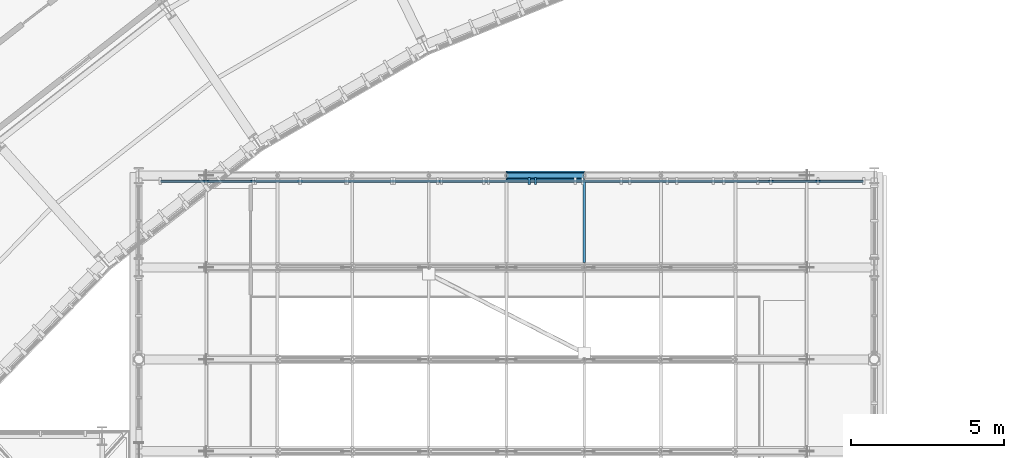
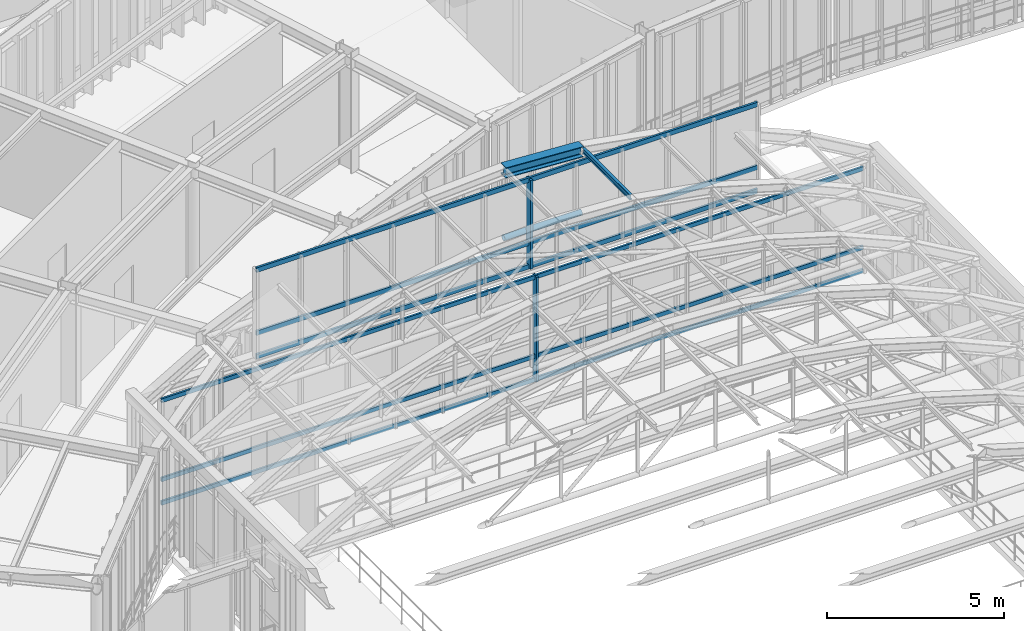
# One storey, part 73 of 148: 9 members, 2 beams, 2 elements without a shape of their own.
"""IFC4 building model written with IfcOpenShell, lengths in metres."""

from ifc_helpers import new_model, si_unit, direction, frame, origin, origin_2d, place, context, subcontext, project, spatial, rectangle, hollow_circle, i_section, extrude, material, layer, layer_set, material_profile, profile_set, type_object, element, aggregate, save


model = new_model("IFC4")

# Units and contexts
model_context = context("Model", 3, precision=1e-05, world=origin(), true_north=direction((0.0, 1.0)))
body_context = subcontext(model_context, "Body", "Model", "MODEL_VIEW")
ifc_project = project(units=[si_unit("LENGTHUNIT", "METRE"), si_unit("AREAUNIT", "SQUARE_METRE"), si_unit("VOLUMEUNIT", "CUBIC_METRE"), si_unit("PLANEANGLEUNIT", "RADIAN"), si_unit("MASSUNIT", "GRAM", prefix="KILO"), si_unit("THERMODYNAMICTEMPERATUREUNIT", "KELVIN"), si_unit("POWERUNIT", "WATT")], contexts=[model_context])

# Site, building, storey
site_placement = place(None, origin())
site = spatial("IfcSite", under=ifc_project, at=site_placement, CompositionType="ELEMENT")
building_placement = place(site_placement, origin())
building = spatial("IfcBuilding", under=site, at=building_placement, Name="Solvatero Civic Police Headquarters", CompositionType="ELEMENT")
storey_placement = place(building_placement, frame((0.0, 0.0, 5.10009765625)))
storey = spatial("IfcBuildingStorey", under=building, at=storey_placement, Name="L01", CompositionType="ELEMENT", Elevation=5.10009765625)

# Beams
ifc_material_1 = material(Name="Steel S355", Category="steel")
ifc_material_profile_1 = material_profile(ifc_material_1, i_section(OverallWidth=0.300048828125, OverallDepth=0.360107421875, WebThickness=0.012451171875, FlangeThickness=0.0224609375, FilletRadius=0.027099609375, at=origin_2d()), Name="HEB 360")
ifc_profile_set_1 = profile_set([ifc_material_profile_1], Name="Steel S355")
beam_type_1 = type_object("IfcBeamType", Name="BM-ST-HEB360", PredefinedType="BEAM", material=ifc_profile_set_1)
beam_1_placement = place(storey_placement, frame((76.800048828125, 62.5, 7.4638671875), z_axis=(0.99830210262, 0.0, -0.058248707316), x_axis=(0.0, 1.0, 0.0)))
element("IfcBeam", 1, at=beam_1_placement, inside=storey, type_object=beam_type_1, Name="VLT2 Tied-Arch Vault Top Chord F8.6", PredefinedType="BEAM", context=body_context, shape_type="SweptSolid", body=[
    extrude(i_section(OverallWidth=0.300048828125, OverallDepth=0.360107421875, WebThickness=0.012451171875, FlangeThickness=0.0224609375, FilletRadius=0.027099609375, at=origin_2d()), origin(), (0.0, 0.0, 1.0), 2.5400390625),
])
ifc_material_profile_2 = material_profile(ifc_material_1, i_section(OverallWidth=0.091064453125, OverallDepth=0.179931640625, WebThickness=0.00537109375, FlangeThickness=0.008056640625, FilletRadius=0.009033203125, at=origin_2d()), Name="IPE 180")
ifc_profile_set_2 = profile_set([ifc_material_profile_2], Name="Steel S355")
beam_type_2 = type_object("IfcBeamType", Name="BM-ST-IPE180", PredefinedType="JOIST", material=ifc_profile_set_2)
beam_2_placement = place(storey_placement, frame((79.335693359375, 59.657958984375, 7.37451171875), z_axis=(0.0, 1.0, 0.0), x_axis=(-1.0, 0.0, 0.0)))
element("IfcBeam", 2, at=beam_2_placement, inside=storey, type_object=beam_type_2, Name="VLT2 Vault Roof Purlin B7.6", PredefinedType="JOIST", context=body_context, shape_type="SweptSolid", body=[
    extrude(i_section(OverallWidth=0.091064453125, OverallDepth=0.179931640625, WebThickness=0.00537109375, FlangeThickness=0.008056640625, FilletRadius=0.009033203125, at=origin_2d()), origin(), (0.0, 0.0, 1.0), 2.68408203125),
])

# Curtain wall, member
ifc_material_2 = material(Name="Anodized Bronze Aluminium", Category="aluminium")
ifc_layer_1 = layer(ifc_material_2, 0.179931640625)
ifc_layer_set_1 = layer_set([ifc_layer_1], Name="Anodized Bronze Aluminium")
curtain_wall_type_1 = type_object("IfcCurtainWallType", Name="CW-VLT-TYMP", PredefinedType="USERDEFINED", material=ifc_layer_set_1)
curtain_wall_1_placement = place(storey_placement, origin())
curtain_wall_1 = element("IfcCurtainWall", 3, at=curtain_wall_1_placement, inside=storey, type_object=curtain_wall_type_1, Name="Curtain Wall CW-R2-L01-VLT2-N", ObjectType="UNITISED", PredefinedType="USERDEFINED")
ifc_material_profile_3 = material_profile(ifc_material_2, rectangle(XDim=0.080078125, YDim=0.239990234375, at=origin_2d()), Name="ALU MULLION 80x240")
ifc_profile_set_3 = profile_set([ifc_material_profile_3], Name="Anodized Bronze Aluminium")
member_type_1 = type_object("IfcMemberType", Name="CWM-140x60", PredefinedType="MULLION", material=ifc_profile_set_3)
member_1_placement = place(storey_placement, frame((77.549072265625, 62.320068359375, 3.97998046875), z_axis=(0.0, 0.0, 1.0), x_axis=(1.0, 0.0, 0.0)))
member_1 = element("IfcMember", 4, at=member_1_placement, type_object=member_type_1, Name="CW-R2-L01-VLT2-N Mullion 7", PredefinedType="MULLION", context=body_context, shape_type="SweptSolid", body=[
    extrude(rectangle(XDim=0.080078125, YDim=0.239990234375, at=origin_2d()), origin(), (0.0, 0.0, 1.0), 3.06982421875),
])

ifc_layer_2 = layer(ifc_material_2, 0.179931640625)
ifc_layer_set_2 = layer_set([ifc_layer_2], Name="Anodized Bronze Aluminium")
curtain_wall_type_2 = type_object("IfcCurtainWallType", Name="CW-HAL-GLZ", PredefinedType="USERDEFINED", material=ifc_layer_set_2)
curtain_wall_2_placement = place(storey_placement, origin())
curtain_wall_2 = element("IfcCurtainWall", 5, at=curtain_wall_2_placement, inside=storey, type_object=curtain_wall_type_2, Name="Curtain Wall CW-R2-L01-V2-N", ObjectType="UNITISED", PredefinedType="USERDEFINED")
ifc_material_profile_4 = material_profile(ifc_material_2, rectangle(XDim=0.074951171875, YDim=0.219970703125, at=origin_2d()), Name="ALU MULLION 75x220")
ifc_profile_set_4 = profile_set([ifc_material_profile_4], Name="Anodized Bronze Aluminium")
member_type_2 = type_object("IfcMemberType", Name="CWM-250x85", PredefinedType="MULLION", material=ifc_profile_set_4)
member_2_placement = place(storey_placement, frame((77.746826171875, 62.320068359375, 0.0), z_axis=(0.0, 0.0, 1.0), x_axis=(1.0, 0.0, 0.0)))
member_2 = element("IfcMember", 6, at=member_2_placement, type_object=member_type_2, Name="CW-R2-L01-V2-N Mullion 9", PredefinedType="MULLION", context=body_context, shape_type="SweptSolid", body=[
    extrude(rectangle(XDim=0.074951171875, YDim=0.219970703125, at=origin_2d()), origin(), (0.0, 0.0, 1.0), 3.619873046875),
])

# Member
ifc_material_profile_5 = material_profile(ifc_material_2, rectangle(XDim=0.070068359375, YDim=0.159912109375, at=origin_2d()), Name="ALU TRANSOM 70x160")
ifc_profile_set_5 = profile_set([ifc_material_profile_5], Name="Anodized Bronze Aluminium")
member_type_3 = type_object("IfcMemberType", Name="CWT-120x55", PredefinedType="USERDEFINED", material=ifc_profile_set_5)
member_3_placement = place(storey_placement, frame((68.610107421875, 62.320068359375, 4.02001953125), z_axis=(1.0, 0.0, 0.0), x_axis=(0.0, 1.0, 0.0)))
member_3 = element("IfcMember", 7, at=member_3_placement, type_object=member_type_3, Name="CW-R2-L01-VLT2-N Transom 1", ObjectType="TRANSOM", PredefinedType="USERDEFINED", context=body_context, shape_type="SweptSolid", body=[
    extrude(rectangle(XDim=0.070068359375, YDim=0.159912109375, at=origin_2d()), origin(), (0.0, 0.0, 1.0), 16.3798828125),
])

member_4_placement = place(storey_placement, frame((68.610107421875, 62.320068359375, 4.829833984375), z_axis=(1.0, 0.0, 0.0), x_axis=(0.0, 1.0, 0.0)))
member_4 = element("IfcMember", 8, at=member_4_placement, type_object=member_type_3, Name="CW-R2-L01-VLT2-N Transom 2", ObjectType="TRANSOM", PredefinedType="USERDEFINED", context=body_context, shape_type="SweptSolid", body=[
    extrude(rectangle(XDim=0.070068359375, YDim=0.159912109375, at=origin_2d()), origin(), (0.0, 0.0, 1.0), 16.3798828125),
])

member_5_placement = place(storey_placement, frame((68.610107421875, 62.320068359375, 7.010009765625), z_axis=(1.0, 0.0, 0.0), x_axis=(0.0, 1.0, 0.0)))
member_5 = element("IfcMember", 9, at=member_5_placement, type_object=member_type_3, Name="CW-R2-L01-VLT2-N Transom 3", ObjectType="TRANSOM", PredefinedType="USERDEFINED", context=body_context, shape_type="SweptSolid", body=[
    extrude(rectangle(XDim=0.070068359375, YDim=0.159912109375, at=origin_2d()), origin(), (0.0, 0.0, 1.0), 16.3798828125),
])

aggregate(curtain_wall_1, [member_1, member_3, member_4, member_5])

ifc_material_profile_6 = material_profile(ifc_material_2, rectangle(XDim=0.06494140625, YDim=0.139892578125, at=origin_2d()), Name="ALU TRANSOM 65x140")
ifc_profile_set_6 = profile_set([ifc_material_profile_6], Name="Anodized Bronze Aluminium")
member_type_4 = type_object("IfcMemberType", Name="CWT-180x70", PredefinedType="USERDEFINED", material=ifc_profile_set_6)
member_6_placement = place(storey_placement, frame((65.510009765625, 62.320068359375, 0.039794921875), z_axis=(1.0, 0.0, 0.0), x_axis=(0.0, 1.0, 0.0)))
member_6 = element("IfcMember", 10, at=member_6_placement, type_object=member_type_4, Name="CW-R2-L01-V2-N Transom 1", ObjectType="TRANSOM", PredefinedType="USERDEFINED", context=body_context, shape_type="SweptSolid", body=[
    extrude(rectangle(XDim=0.06494140625, YDim=0.139892578125, at=origin_2d()), origin(), (0.0, 0.0, 1.0), 22.93798828125),
])

member_7_placement = place(storey_placement, frame((65.510009765625, 62.320068359375, 0.849853515625), z_axis=(1.0, 0.0, 0.0), x_axis=(0.0, 1.0, 0.0)))
member_7 = element("IfcMember", 11, at=member_7_placement, type_object=member_type_4, Name="CW-R2-L01-V2-N Transom 2", ObjectType="TRANSOM", PredefinedType="USERDEFINED", context=body_context, shape_type="SweptSolid", body=[
    extrude(rectangle(XDim=0.06494140625, YDim=0.139892578125, at=origin_2d()), origin(), (0.0, 0.0, 1.0), 22.93798828125),
])

member_8_placement = place(storey_placement, frame((65.510009765625, 62.320068359375, 3.579833984375), z_axis=(1.0, 0.0, 0.0), x_axis=(0.0, 1.0, 0.0)))
member_8 = element("IfcMember", 12, at=member_8_placement, type_object=member_type_4, Name="CW-R2-L01-V2-N Transom 3", ObjectType="TRANSOM", PredefinedType="USERDEFINED", context=body_context, shape_type="SweptSolid", body=[
    extrude(rectangle(XDim=0.06494140625, YDim=0.139892578125, at=origin_2d()), origin(), (0.0, 0.0, 1.0), 22.93798828125),
])

aggregate(curtain_wall_2, [member_2, member_6, member_7, member_8])

ifc_material_profile_7 = material_profile(ifc_material_1, hollow_circle(Radius=0.096923828125, WallThickness=0.010009765625, at=origin_2d()), Name="CHS 193.7x10.0")
ifc_profile_set_7 = profile_set([ifc_material_profile_7], Name="Steel S355")
member_type_5 = type_object("IfcMemberType", Name="MB-TIE-CHS194", PredefinedType="CHORD", material=ifc_profile_set_7)
member_9_placement = place(storey_placement, frame((76.800048828125, 62.5, 5.13623046875), z_axis=(1.0, 0.0, 0.0), x_axis=(0.0, 1.0, 0.0)))
element("IfcMember", 13, at=member_9_placement, inside=storey, type_object=member_type_5, Name="VLT2 Vault Horizontal Tie Chord F8.5", PredefinedType="CHORD", context=body_context, shape_type="SweptSolid", body=[
    extrude(hollow_circle(Radius=0.096923828125, WallThickness=0.010009765625, at=origin_2d()), origin(), (0.0, 0.0, 1.0), 2.53564453125),
])

save(model, "model.ifc")
